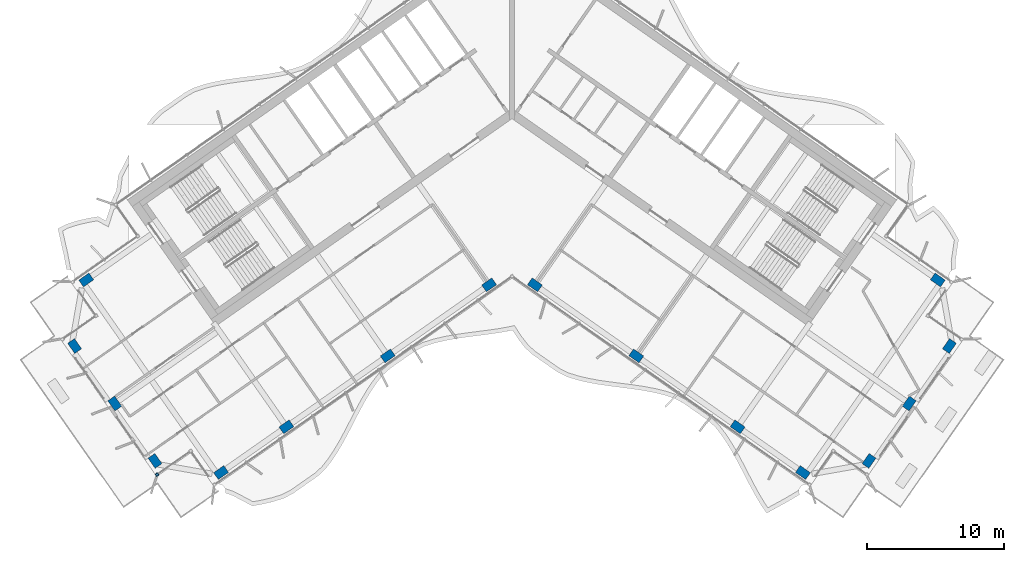
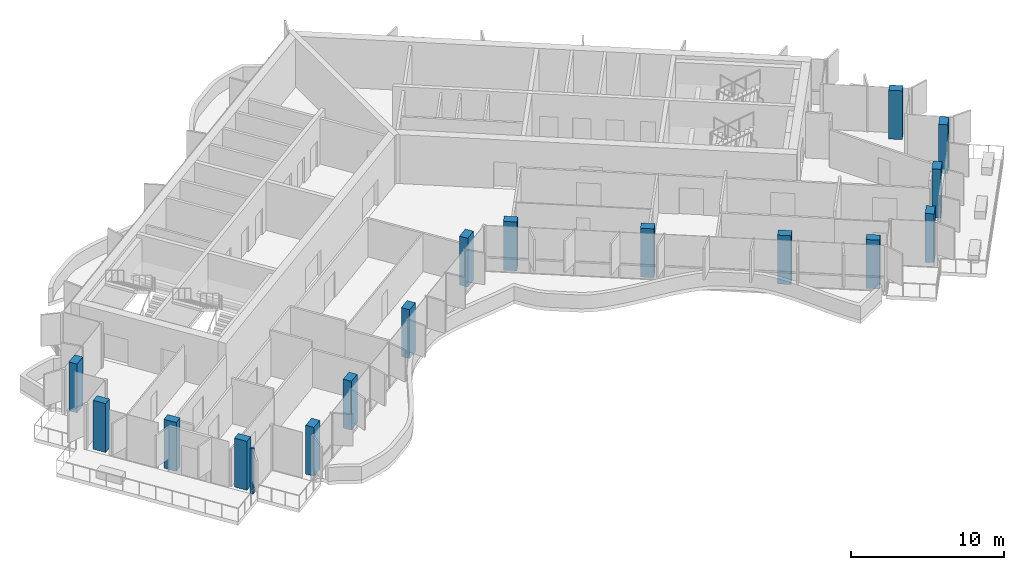
# One storey, part 1 of 21: 16 columns, 1 member, 1 element without a shape of its own.
"""IFC4 building model written with IfcOpenShell, lengths in metres."""

from ifc_helpers import new_model, si_unit, direction, frame, origin, origin_2d, place, context, subcontext, project, spatial, rectangle, extrude, material, material_profile, profile_set, type_object, element, aggregate, save


model = new_model("IFC4")

# Units and contexts
model_context = context("Model", 3, precision=1e-05, world=origin(), true_north=direction((0.0, 1.0)))
body_context = subcontext(model_context, "Body", "Model", "MODEL_VIEW")
ifc_project = project(units=[si_unit("LENGTHUNIT", "METRE"), si_unit("AREAUNIT", "SQUARE_METRE"), si_unit("VOLUMEUNIT", "CUBIC_METRE"), si_unit("PLANEANGLEUNIT", "RADIAN"), si_unit("MASSUNIT", "GRAM", prefix="KILO")], contexts=[model_context])

# Site, building, storey
site_placement = place(None, origin())
site = spatial("IfcSite", under=ifc_project, at=site_placement, CompositionType="ELEMENT")
building_placement = place(site_placement, origin())
building = spatial("IfcBuilding", under=site, at=building_placement, Name="Tel Ilan Convention Tower", CompositionType="ELEMENT")
storey_placement = place(building_placement, frame((0.0, 0.0, 225.39990234375)))
storey = spatial("IfcBuildingStorey", under=building, at=storey_placement, Name="L52", CompositionType="ELEMENT", Elevation=225.39990234375)

# Columns
ifc_material_1 = material(Name="Concrete C40/50", Category="concrete")
ifc_material_profile_1 = material_profile(ifc_material_1, rectangle(XDim=0.89990234375, YDim=0.60009765625, at=origin_2d()), Name="RC 600x900")
ifc_profile_set_1 = profile_set([ifc_material_profile_1], Name="Concrete C40/50")
column_type = type_object("IfcColumnType", Name="Column RC 600x900 C40/50", PredefinedType="COLUMN", material=ifc_profile_set_1)
for number, where, z_axis, x_axis, name in (
    (1, (-1.665283203125, -13.312744140625, 0.0), (0.0, 0.0, 1.0), (-0.819152044289, -0.573576436351, 0.0), "L52 column W-F1"),
    (2, (-9.03759765625, -18.474853515625, 0.0), (0.0, 0.0, 1.0), (-0.819152044289, -0.573576436351, 0.0), "L52 column W-F2"),
    (3, (-16.409912109375, -23.63720703125, 0.0), (0.0, 0.0, 1.0), (-0.819152044289, -0.573576436351, 0.0), "L52 column W-F3"),
    (4, (-21.1611328125, -26.9638671875, 0.0), (0.0, 0.0, 1.0), (-0.819152044289, -0.573576436351, 0.0), "L52 column W-FC"),
    (5, (-30.96923828125, -12.956298828125, 0.0), (0.0, 0.0, 1.0), (-0.819152044289, -0.573576436351, 0.0), "L52 column W-BC"),
    (6, (-25.966064453125, -26.11669921875, 0.0), (0.0, 0.0, 1.0), (-0.573576436351, 0.819152044289, 0.0), "L52 column W-E1"),
    (7, (-28.891357421875, -21.93896484375, 0.0), (0.0, 0.0, 1.0), (-0.573576436351, 0.819152044289, 0.0), "L52 column W-E2"),
    (8, (-31.81640625, -17.76123046875, 0.0), (0.0, 0.0, 1.0), (-0.573576436351, 0.819152044289, 0.0), "L52 column W-E3"),
    (9, (1.665283203125, -13.312744140625, 0.0), (0.0, 0.0, 1.0), (0.819152044289, -0.573576436351, 0.0), "L52 column E-F1"),
    (10, (9.03759765625, -18.474853515625, 0.0), (0.0, 0.0, 1.0), (0.819152044289, -0.573576436351, 0.0), "L52 column E-F2"),
    (11, (16.409912109375, -23.63720703125, 0.0), (0.0, 0.0, 1.0), (0.819152044289, -0.573576436351, 0.0), "L52 column E-F3"),
    (12, (21.1611328125, -26.9638671875, 0.0), (0.0, 0.0, 1.0), (0.819152044289, -0.573576436351, 0.0), "L52 column E-FC"),
    (13, (30.96923828125, -12.956298828125, 0.0), (0.0, 0.0, 1.0), (0.819152044289, -0.573576436351, 0.0), "L52 column E-BC"),
    (14, (25.966064453125, -26.11669921875, 0.0), (0.0, 0.0, 1.0), (0.573576436351, 0.819152044289, 0.0), "L52 column E-E1"),
    (15, (28.891357421875, -21.93896484375, 0.0), (0.0, 0.0, 1.0), (0.573576436351, 0.819152044289, 0.0), "L52 column E-E2"),
    (16, (31.81640625, -17.76123046875, 0.0), (0.0, 0.0, 1.0), (0.573576436351, 0.819152044289, 0.0), "L52 column E-E3"),
):
    element("IfcColumn", number, at=place(storey_placement, frame(where, z_axis=z_axis, x_axis=x_axis)), inside=storey, type_object=column_type, Name=name, PredefinedType="COLUMN", context=body_context, shape_type="SweptSolid", body=[
        extrude(rectangle(XDim=0.89990234375, YDim=0.60009765625, at=origin_2d()), origin(), (0.0, 0.0, 1.0), 3.900146484375),
    ])

# Curtain wall, member
ifc_material_2 = material(Name="Aluminium, bronze anodised", Category="aluminium")
curtain_wall_type = type_object("IfcCurtainWallType", Name="CW5 STICK CURTAIN WALL, UPPER OFFICE LOW-IRON TINTED GLASS", PredefinedType="NOTDEFINED", material=ifc_material_2)
curtain_wall_placement = place(storey_placement, origin())
curtain_wall = element("IfcCurtainWall", 17, at=curtain_wall_placement, inside=storey, type_object=curtain_wall_type, Name="Curtain wall CW5-41.06", PredefinedType="NOTDEFINED")
ifc_material_3 = material(Name="Aluminium, bronze anodised", Category="aluminium")
ifc_material_profile_2 = material_profile(ifc_material_3, rectangle(XDim=0.199951171875, YDim=0.199951171875, at=origin_2d()), Name="CW CORNER MULLION 200x200")
ifc_profile_set_2 = profile_set([ifc_material_profile_2], Name="Aluminium, bronze anodised")
member_type = type_object("IfcMemberType", Name="CW CORNER MULLION 200x200", PredefinedType="MULLION", material=ifc_profile_set_2)
member_placement = place(storey_placement, frame((-25.818359375, -27.112060546875, 0.0), z_axis=(0.0, 0.0, 1.0), x_axis=(0.573576436351, -0.819152044289, 0.0)))
member = element("IfcMember", 18, at=member_placement, type_object=member_type, Name="Corner mullion", PredefinedType="MULLION", context=body_context, shape_type="SweptSolid", body=[
    extrude(rectangle(XDim=0.199951171875, YDim=0.199951171875, at=origin_2d()), origin(), (0.0, 0.0, 1.0), 3.6201171875),
])
aggregate(curtain_wall, [member])

save(model, "model.ifc")
